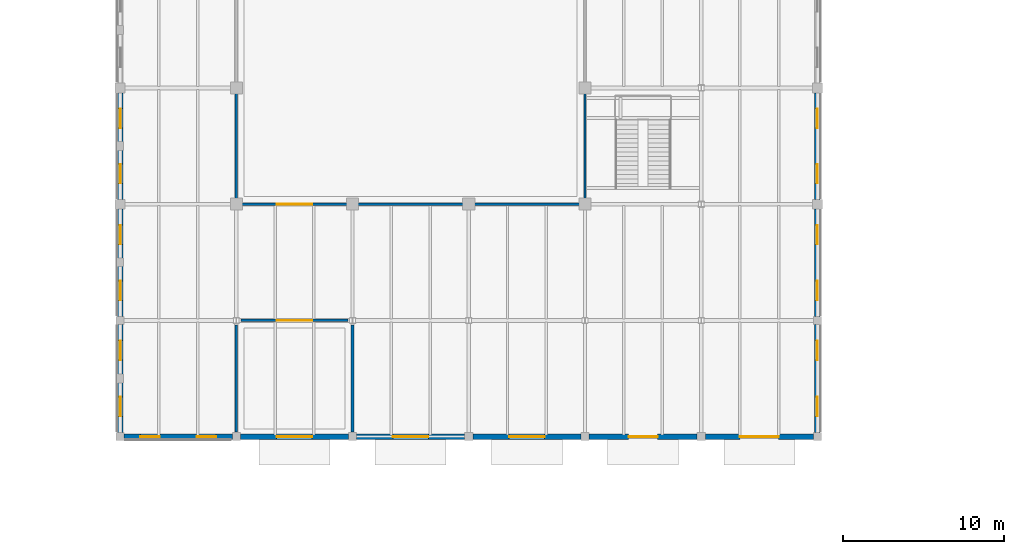
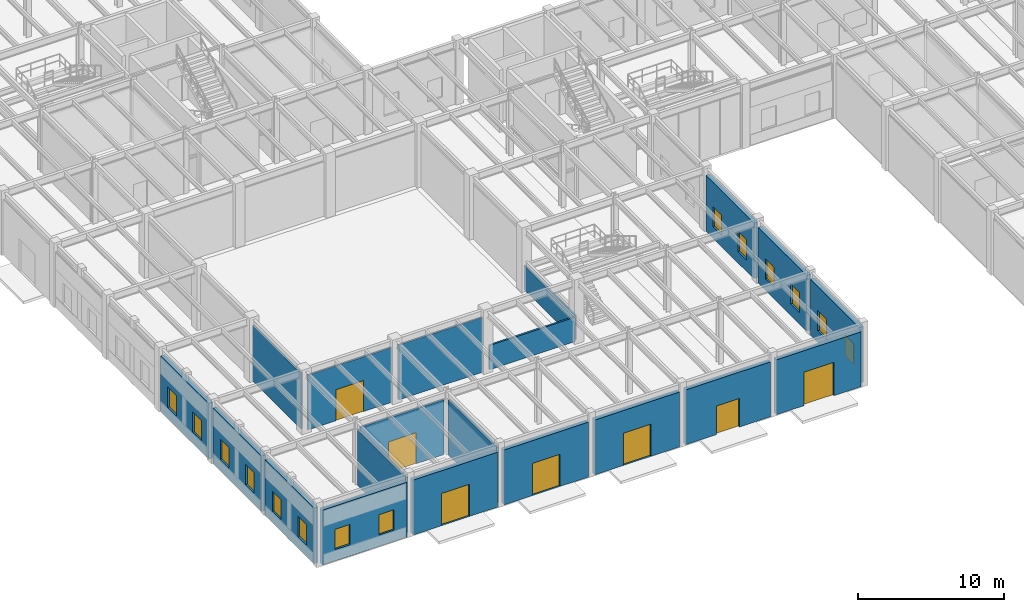
# One storey, part 33 of 97: 20 walls, 14 windows, 7 doors, 21 openings.
"""IFC4 building model written with IfcOpenShell, lengths in metres."""

from ifc_helpers import new_model, si_unit, direction, frame, frame_2d, origin, place, context, subcontext, project, spatial, rectangle, extrude, material, layer, layer_set, type_object, element, fill, save


model = new_model("IFC4")

# Units and contexts
model_context = context("Model", 3, precision=1e-05, world=origin(), true_north=direction((0.0, 1.0)))
body_context = subcontext(model_context, "Body", "Model", "MODEL_VIEW")
ifc_project = project(units=[si_unit("LENGTHUNIT", "METRE"), si_unit("AREAUNIT", "SQUARE_METRE"), si_unit("VOLUMEUNIT", "CUBIC_METRE"), si_unit("PLANEANGLEUNIT", "RADIAN"), si_unit("MASSUNIT", "GRAM", prefix="KILO")], contexts=[model_context])

# Site, building, storey
site_placement = place(None, origin())
site = spatial("IfcSite", under=ifc_project, at=site_placement, CompositionType="ELEMENT")
building_placement = place(site_placement, origin())
building = spatial("IfcBuilding", under=site, at=building_placement, Name="Sillqori Civic Hall", CompositionType="ELEMENT")
storey_placement = place(building_placement, origin())
storey = spatial("IfcBuildingStorey", under=building, at=storey_placement, Name="L01", CompositionType="ELEMENT", Elevation=0.0)

# Wall, openings, windows
ifc_material_1 = material(Name="Precast concrete C40/50 (H40)", Category="concrete")
ifc_layer_1 = layer(ifc_material_1, 0.340087890625)
ifc_layer_set_1 = layer_set([ifc_layer_1], Name="Precast concrete C40/50 (H40)")
wall_type_1 = type_object("IfcWallType", Name="EW-ARC-340", PredefinedType="SOLIDWALL", material=ifc_layer_set_1)
wall_1_placement = place(storey_placement, frame((14.14990234375, 7.199951171875, 0.0), z_axis=(0.0, 0.0, 1.0), x_axis=(-1.0, 0.0, 0.0)))
wall_1 = element("IfcWall", 1, at=wall_1_placement, inside=storey, type_object=wall_type_1, Name="L01 V1 exterior wall L01-01-01-S", PredefinedType="SOLIDWALL", context=body_context, shape_type="SweptSolid", body=[
    extrude(rectangle(XDim=6.699951171875, YDim=0.340087890625, at=frame_2d((3.35009765625, 0.0))), origin(), (0.0, 0.0, 1.0), 4.597900390625),
])
opening_1_placement = place(wall_1_placement, frame((1.008056640625, 0.0, 0.949951171875)))
opening_1 = element("IfcOpeningElement", 2, at=opening_1_placement, cuts=wall_1, Name="Opening W-22", PredefinedType="OPENING", context=body_context, shape_type="SweptSolid", body=[
    extrude(rectangle(XDim=1.199951171875, YDim=1.699951171875, at=frame_2d((0.60009765625, 0.85009765625))), frame((0.0, 0.179931640625, 0.0), z_axis=(0.0, -1.0, 0.0), x_axis=(1.0, 0.0, 0.0)), (0.0, 0.0, 1.0), 0.360107421875),
])
opening_2_placement = place(wall_1_placement, frame((4.491943359375, 0.0, 0.949951171875)))
opening_2 = element("IfcOpeningElement", 3, at=opening_2_placement, cuts=wall_1, Name="Opening W-22", PredefinedType="OPENING", context=body_context, shape_type="SweptSolid", body=[
    extrude(rectangle(XDim=1.199951171875, YDim=1.699951171875, at=frame_2d((0.60009765625, 0.85009765625))), frame((0.0, 0.179931640625, 0.0), z_axis=(0.0, -1.0, 0.0), x_axis=(1.0, 0.0, 0.0)), (0.0, 0.0, 1.0), 0.360107421875),
])
ifc_material_2 = material(Name="Thermally Broken Aluminium Low-E Window", Category="aluminium")
window_type = type_object("IfcWindowType", Name="WIN-V5-120X170", PartitioningType="SINGLE_PANEL", PredefinedType="WINDOW", material=ifc_material_2)
window_1_placement = place(opening_1_placement, origin())
window_1 = element("IfcWindow", 4, at=window_1_placement, inside=storey, type_object=window_type, Name="L01 V1 window L01-01-01-S.1", OverallHeight=1.699951171875, OverallWidth=1.199951171875, PartitioningType="SINGLE_PANEL", PredefinedType="WINDOW", context=body_context, shape_type="SweptSolid", body=[
    extrude(rectangle(XDim=1.199951171875, YDim=1.699951171875, at=frame_2d((0.60009765625, 0.85009765625))), frame((0.0, 0.030029296875, 0.0), z_axis=(0.0, -1.0, 0.0), x_axis=(1.0, 0.0, 0.0)), (0.0, 0.0, 1.0), 0.06005859375),
])
fill(opening_1, window_1)
window_2_placement = place(opening_2_placement, origin())
window_2 = element("IfcWindow", 5, at=window_2_placement, inside=storey, type_object=window_type, Name="L01 V1 window L01-01-01-S.2", OverallHeight=1.699951171875, OverallWidth=1.199951171875, PartitioningType="SINGLE_PANEL", PredefinedType="WINDOW", context=body_context, shape_type="SweptSolid", body=[
    extrude(rectangle(XDim=1.199951171875, YDim=1.699951171875, at=frame_2d((0.60009765625, 0.85009765625))), frame((0.0, 0.030029296875, 0.0), z_axis=(0.0, -1.0, 0.0), x_axis=(1.0, 0.0, 0.0)), (0.0, 0.0, 1.0), 0.06005859375),
])
fill(opening_2, window_2)

wall_2_placement = place(storey_placement, frame((7.199951171875, 7.449951171875, 0.0), z_axis=(0.0, 0.0, 1.0), x_axis=(0.0, 1.0, 0.0)))
wall_2 = element("IfcWall", 6, at=wall_2_placement, inside=storey, type_object=wall_type_1, Name="L01 V1 exterior wall L01-01-01-W", PredefinedType="SOLIDWALL", context=body_context, shape_type="SweptSolid", body=[
    extrude(rectangle(XDim=6.699951171875, YDim=0.340087890625, at=frame_2d((3.35009765625, 0.0))), origin(), (0.0, 0.0, 1.0), 4.6669921875),
])
opening_3_placement = place(wall_2_placement, frame((1.008056640625, 0.0, 0.949951171875)))
opening_3 = element("IfcOpeningElement", 7, at=opening_3_placement, cuts=wall_2, Name="Opening W-22", PredefinedType="OPENING", context=body_context, shape_type="SweptSolid", body=[
    extrude(rectangle(XDim=1.199951171875, YDim=1.699951171875, at=frame_2d((0.60009765625, 0.85009765625))), frame((0.0, 0.179931640625, 0.0), z_axis=(0.0, -1.0, 0.0), x_axis=(1.0, 0.0, 0.0)), (0.0, 0.0, 1.0), 0.360107421875),
])
opening_4_placement = place(wall_2_placement, frame((4.491943359375, 0.0, 0.949951171875)))
opening_4 = element("IfcOpeningElement", 8, at=opening_4_placement, cuts=wall_2, Name="Opening W-22", PredefinedType="OPENING", context=body_context, shape_type="SweptSolid", body=[
    extrude(rectangle(XDim=1.199951171875, YDim=1.699951171875, at=frame_2d((0.60009765625, 0.85009765625))), frame((0.0, 0.179931640625, 0.0), z_axis=(0.0, -1.0, 0.0), x_axis=(1.0, 0.0, 0.0)), (0.0, 0.0, 1.0), 0.360107421875),
])
window_3_placement = place(opening_3_placement, origin())
window_3 = element("IfcWindow", 9, at=window_3_placement, inside=storey, type_object=window_type, Name="L01 V1 window L01-01-01-W.1", OverallHeight=1.699951171875, OverallWidth=1.199951171875, PartitioningType="SINGLE_PANEL", PredefinedType="WINDOW", context=body_context, shape_type="SweptSolid", body=[
    extrude(rectangle(XDim=1.199951171875, YDim=1.699951171875, at=frame_2d((0.60009765625, 0.85009765625))), frame((0.0, 0.030029296875, 0.0), z_axis=(0.0, -1.0, 0.0), x_axis=(1.0, 0.0, 0.0)), (0.0, 0.0, 1.0), 0.06005859375),
])
fill(opening_3, window_3)
window_4_placement = place(opening_4_placement, origin())
window_4 = element("IfcWindow", 10, at=window_4_placement, inside=storey, type_object=window_type, Name="L01 V1 window L01-01-01-W.2", OverallHeight=1.699951171875, OverallWidth=1.199951171875, PartitioningType="SINGLE_PANEL", PredefinedType="WINDOW", context=body_context, shape_type="SweptSolid", body=[
    extrude(rectangle(XDim=1.199951171875, YDim=1.699951171875, at=frame_2d((0.60009765625, 0.85009765625))), frame((0.0, 0.030029296875, 0.0), z_axis=(0.0, -1.0, 0.0), x_axis=(1.0, 0.0, 0.0)), (0.0, 0.0, 1.0), 0.06005859375),
])
fill(opening_4, window_4)

wall_3_placement = place(storey_placement, frame((7.199951171875, 14.64990234375, 0.0), z_axis=(0.0, 0.0, 1.0), x_axis=(0.0, 1.0, 0.0)))
wall_3 = element("IfcWall", 11, at=wall_3_placement, inside=storey, type_object=wall_type_1, Name="L01 V1 exterior wall L01-01-02-W", PredefinedType="SOLIDWALL", context=body_context, shape_type="SweptSolid", body=[
    extrude(rectangle(XDim=6.650146484375, YDim=0.340087890625, at=frame_2d((3.3251953125, 0.0))), origin(), (0.0, 0.0, 1.0), 4.6669921875),
])
opening_5_placement = place(wall_3_placement, frame((0.99609375, 0.0, 0.949951171875)))
opening_5 = element("IfcOpeningElement", 12, at=opening_5_placement, cuts=wall_3, Name="Opening W-22", PredefinedType="OPENING", context=body_context, shape_type="SweptSolid", body=[
    extrude(rectangle(XDim=1.199951171875, YDim=1.699951171875, at=frame_2d((0.60009765625, 0.85009765625))), frame((0.0, 0.179931640625, 0.0), z_axis=(0.0, -1.0, 0.0), x_axis=(1.0, 0.0, 0.0)), (0.0, 0.0, 1.0), 0.360107421875),
])
opening_6_placement = place(wall_3_placement, frame((4.4541015625, 0.0, 0.949951171875)))
opening_6 = element("IfcOpeningElement", 13, at=opening_6_placement, cuts=wall_3, Name="Opening W-22", PredefinedType="OPENING", context=body_context, shape_type="SweptSolid", body=[
    extrude(rectangle(XDim=1.199951171875, YDim=1.699951171875, at=frame_2d((0.60009765625, 0.85009765625))), frame((0.0, 0.179931640625, 0.0), z_axis=(0.0, -1.0, 0.0), x_axis=(1.0, 0.0, 0.0)), (0.0, 0.0, 1.0), 0.360107421875),
])
window_5_placement = place(opening_5_placement, origin())
window_5 = element("IfcWindow", 14, at=window_5_placement, inside=storey, type_object=window_type, Name="L01 V1 window L01-01-02-W.1", OverallHeight=1.699951171875, OverallWidth=1.199951171875, PartitioningType="SINGLE_PANEL", PredefinedType="WINDOW", context=body_context, shape_type="SweptSolid", body=[
    extrude(rectangle(XDim=1.199951171875, YDim=1.699951171875, at=frame_2d((0.60009765625, 0.85009765625))), frame((0.0, 0.030029296875, 0.0), z_axis=(0.0, -1.0, 0.0), x_axis=(1.0, 0.0, 0.0)), (0.0, 0.0, 1.0), 0.06005859375),
])
fill(opening_5, window_5)
window_6_placement = place(opening_6_placement, origin())
window_6 = element("IfcWindow", 15, at=window_6_placement, inside=storey, type_object=window_type, Name="L01 V1 window L01-01-02-W.2", OverallHeight=1.699951171875, OverallWidth=1.199951171875, PartitioningType="SINGLE_PANEL", PredefinedType="WINDOW", context=body_context, shape_type="SweptSolid", body=[
    extrude(rectangle(XDim=1.199951171875, YDim=1.699951171875, at=frame_2d((0.60009765625, 0.85009765625))), frame((0.0, 0.030029296875, 0.0), z_axis=(0.0, -1.0, 0.0), x_axis=(1.0, 0.0, 0.0)), (0.0, 0.0, 1.0), 0.06005859375),
])
fill(opening_6, window_6)

wall_4_placement = place(storey_placement, frame((7.199951171875, 21.89990234375, 0.0), z_axis=(0.0, 0.0, 1.0), x_axis=(0.0, 1.0, 0.0)))
wall_4 = element("IfcWall", 16, at=wall_4_placement, inside=storey, type_object=wall_type_1, Name="L01 V1 exterior wall L01-01-03-W", PredefinedType="SOLIDWALL", context=body_context, shape_type="SweptSolid", body=[
    extrude(rectangle(XDim=6.60009765625, YDim=0.340087890625, at=frame_2d((3.300048828125, 0.0))), origin(), (0.0, 0.0, 1.0), 4.6669921875),
])
opening_7_placement = place(wall_4_placement, frame((0.98388671875, 0.0, 0.949951171875)))
opening_7 = element("IfcOpeningElement", 17, at=opening_7_placement, cuts=wall_4, Name="Opening W-22", PredefinedType="OPENING", context=body_context, shape_type="SweptSolid", body=[
    extrude(rectangle(XDim=1.199951171875, YDim=1.699951171875, at=frame_2d((0.60009765625, 0.85009765625))), frame((0.0, 0.179931640625, 0.0), z_axis=(0.0, -1.0, 0.0), x_axis=(1.0, 0.0, 0.0)), (0.0, 0.0, 1.0), 0.360107421875),
])
opening_8_placement = place(wall_4_placement, frame((4.416015625, 0.0, 0.949951171875)))
opening_8 = element("IfcOpeningElement", 18, at=opening_8_placement, cuts=wall_4, Name="Opening W-22", PredefinedType="OPENING", context=body_context, shape_type="SweptSolid", body=[
    extrude(rectangle(XDim=1.199951171875, YDim=1.699951171875, at=frame_2d((0.60009765625, 0.85009765625))), frame((0.0, 0.179931640625, 0.0), z_axis=(0.0, -1.0, 0.0), x_axis=(1.0, 0.0, 0.0)), (0.0, 0.0, 1.0), 0.360107421875),
])
window_7_placement = place(opening_7_placement, origin())
window_7 = element("IfcWindow", 19, at=window_7_placement, inside=storey, type_object=window_type, Name="L01 V1 window L01-01-03-W.1", OverallHeight=1.699951171875, OverallWidth=1.199951171875, PartitioningType="SINGLE_PANEL", PredefinedType="WINDOW", context=body_context, shape_type="SweptSolid", body=[
    extrude(rectangle(XDim=1.199951171875, YDim=1.699951171875, at=frame_2d((0.60009765625, 0.85009765625))), frame((0.0, 0.030029296875, 0.0), z_axis=(0.0, -1.0, 0.0), x_axis=(1.0, 0.0, 0.0)), (0.0, 0.0, 1.0), 0.06005859375),
])
fill(opening_7, window_7)
window_8_placement = place(opening_8_placement, origin())
window_8 = element("IfcWindow", 20, at=window_8_placement, inside=storey, type_object=window_type, Name="L01 V1 window L01-01-03-W.2", OverallHeight=1.699951171875, OverallWidth=1.199951171875, PartitioningType="SINGLE_PANEL", PredefinedType="WINDOW", context=body_context, shape_type="SweptSolid", body=[
    extrude(rectangle(XDim=1.199951171875, YDim=1.699951171875, at=frame_2d((0.60009765625, 0.85009765625))), frame((0.0, 0.030029296875, 0.0), z_axis=(0.0, -1.0, 0.0), x_axis=(1.0, 0.0, 0.0)), (0.0, 0.0, 1.0), 0.06005859375),
])
fill(opening_8, window_8)

# Wall, opening, door
wall_5_placement = place(storey_placement, frame((21.35009765625, 7.199951171875, 0.0), z_axis=(0.0, 0.0, 1.0), x_axis=(-1.0, 0.0, 0.0)))
wall_5 = element("IfcWall", 21, at=wall_5_placement, inside=storey, type_object=wall_type_1, Name="L01 V1 exterior wall L01-02-01-S", PredefinedType="SOLIDWALL", context=body_context, shape_type="SweptSolid", body=[
    extrude(rectangle(XDim=6.7001953125, YDim=0.340087890625, at=frame_2d((3.35009765625, 0.0))), origin(), (0.0, 0.0, 1.0), 4.597900390625),
])
opening_9_placement = place(wall_5_placement, frame((2.25, 0.0, 0.0)))
opening_9 = element("IfcOpeningElement", 22, at=opening_9_placement, cuts=wall_5, Name="Opening ED-02", PredefinedType="OPENING", context=body_context, shape_type="SweptSolid", body=[
    extrude(rectangle(XDim=2.199951171875, YDim=2.699951171875, at=frame_2d((1.10009765625, 1.35009765625))), frame((0.0, 0.179931640625, 0.0), z_axis=(0.0, -1.0, 0.0), x_axis=(1.0, 0.0, 0.0)), (0.0, 0.0, 1.0), 0.360107421875),
])
ifc_material_3 = material(Name="Thermally Broken Anodized Aluminium and Laminated Glass", Category="aluminium")
door_type_1 = type_object("IfcDoorType", Name="EDR-FOYR-220X270", OperationType="NOTDEFINED", PredefinedType="DOOR", material=ifc_material_3)
door_1_placement = place(opening_9_placement, origin())
door_1 = element("IfcDoor", 23, at=door_1_placement, inside=storey, type_object=door_type_1, Name="Council Chamber West Street Portal", OperationType="DOUBLE_DOOR_SINGLE_SWING", OverallHeight=2.699951171875, OverallWidth=2.199951171875, PredefinedType="DOOR", context=body_context, shape_type="SweptSolid", body=[
    extrude(rectangle(XDim=2.199951171875, YDim=2.699951171875, at=frame_2d((1.10009765625, 1.35009765625))), frame((0.0, 0.02490234375, 0.0), z_axis=(0.0, -1.0, 0.0), x_axis=(1.0, 0.0, 0.0)), (0.0, 0.0, 1.0), 0.050048828125),
])
fill(opening_9, door_1)

wall_6_placement = place(storey_placement, frame((28.550048828125, 7.199951171875, 0.0), z_axis=(0.0, 0.0, 1.0), x_axis=(-1.0, 0.0, 0.0)))
wall_6 = element("IfcWall", 24, at=wall_6_placement, inside=storey, type_object=wall_type_1, Name="L01 V1 exterior wall L01-03-01-S", PredefinedType="SOLIDWALL", context=body_context, shape_type="SweptSolid", body=[
    extrude(rectangle(XDim=6.699951171875, YDim=0.340087890625, at=frame_2d((3.35009765625, 0.0))), origin(), (0.0, 0.0, 1.0), 4.597900390625),
])
opening_10_placement = place(wall_6_placement, frame((2.25, 0.0, 0.0)))
opening_10 = element("IfcOpeningElement", 25, at=opening_10_placement, cuts=wall_6, Name="Opening ED-02", PredefinedType="OPENING", context=body_context, shape_type="SweptSolid", body=[
    extrude(rectangle(XDim=2.199951171875, YDim=2.699951171875, at=frame_2d((1.10009765625, 1.35009765625))), frame((0.0, 0.179931640625, 0.0), z_axis=(0.0, -1.0, 0.0), x_axis=(1.0, 0.0, 0.0)), (0.0, 0.0, 1.0), 0.360107421875),
])
door_2_placement = place(opening_10_placement, origin())
door_2 = element("IfcDoor", 26, at=door_2_placement, inside=storey, type_object=door_type_1, Name="Council Chamber Ceremonial Entrance", OperationType="DOUBLE_DOOR_SINGLE_SWING", OverallHeight=2.699951171875, OverallWidth=2.199951171875, PredefinedType="DOOR", context=body_context, shape_type="SweptSolid", body=[
    extrude(rectangle(XDim=2.199951171875, YDim=2.699951171875, at=frame_2d((1.10009765625, 1.35009765625))), frame((0.0, 0.02490234375, 0.0), z_axis=(0.0, -1.0, 0.0), x_axis=(1.0, 0.0, 0.0)), (0.0, 0.0, 1.0), 0.050048828125),
])
fill(opening_10, door_2)

wall_7_placement = place(storey_placement, frame((35.75, 7.199951171875, 0.0), z_axis=(0.0, 0.0, 1.0), x_axis=(-1.0, 0.0, 0.0)))
wall_7 = element("IfcWall", 27, at=wall_7_placement, inside=storey, type_object=wall_type_1, Name="L01 V1 exterior wall L01-04-01-S", PredefinedType="SOLIDWALL", context=body_context, shape_type="SweptSolid", body=[
    extrude(rectangle(XDim=6.699951171875, YDim=0.340087890625, at=frame_2d((3.35009765625, 0.0))), origin(), (0.0, 0.0, 1.0), 4.597900390625),
])
opening_11_placement = place(wall_7_placement, frame((2.25, 0.0, 0.0)))
opening_11 = element("IfcOpeningElement", 28, at=opening_11_placement, cuts=wall_7, Name="Opening ED-02", PredefinedType="OPENING", context=body_context, shape_type="SweptSolid", body=[
    extrude(rectangle(XDim=2.199951171875, YDim=2.699951171875, at=frame_2d((1.10009765625, 1.35009765625))), frame((0.0, 0.179931640625, 0.0), z_axis=(0.0, -1.0, 0.0), x_axis=(1.0, 0.0, 0.0)), (0.0, 0.0, 1.0), 0.360107421875),
])
door_3_placement = place(opening_11_placement, origin())
door_3 = element("IfcDoor", 29, at=door_3_placement, inside=storey, type_object=door_type_1, Name="Council Chamber East Street Portal", OperationType="DOUBLE_DOOR_SINGLE_SWING", OverallHeight=2.699951171875, OverallWidth=2.199951171875, PredefinedType="DOOR", context=body_context, shape_type="SweptSolid", body=[
    extrude(rectangle(XDim=2.199951171875, YDim=2.699951171875, at=frame_2d((1.10009765625, 1.35009765625))), frame((0.0, 0.02490234375, 0.0), z_axis=(0.0, -1.0, 0.0), x_axis=(1.0, 0.0, 0.0)), (0.0, 0.0, 1.0), 0.050048828125),
])
fill(opening_11, door_3)

wall_8_placement = place(storey_placement, frame((42.949951171875, 7.199951171875, 0.0), z_axis=(0.0, 0.0, 1.0), x_axis=(-1.0, 0.0, 0.0)))
wall_8 = element("IfcWall", 30, at=wall_8_placement, inside=storey, type_object=wall_type_1, Name="L01 V1 exterior wall L01-05-01-S", PredefinedType="SOLIDWALL", context=body_context, shape_type="SweptSolid", body=[
    extrude(rectangle(XDim=6.699951171875, YDim=0.340087890625, at=frame_2d((3.35009765625, 0.0))), origin(), (0.0, 0.0, 1.0), 4.597900390625),
])
opening_12_placement = place(wall_8_placement, frame((2.449951171875, 0.0, 0.0)))
opening_12 = element("IfcOpeningElement", 31, at=opening_12_placement, cuts=wall_8, Name="Opening ED-04", PredefinedType="OPENING", context=body_context, shape_type="SweptSolid", body=[
    extrude(rectangle(XDim=1.800048828125, YDim=2.39990234375, at=frame_2d((0.89990234375, 1.199951171875))), frame((0.0, 0.179931640625, 0.0), z_axis=(0.0, -1.0, 0.0), x_axis=(1.0, 0.0, 0.0)), (0.0, 0.0, 1.0), 0.360107421875),
])
door_type_2 = type_object("IfcDoorType", Name="EDR-EXIT-180X240", OperationType="NOTDEFINED", PredefinedType="DOOR", material=ifc_material_3)
door_4_placement = place(opening_12_placement, origin())
door_4 = element("IfcDoor", 32, at=door_4_placement, inside=storey, type_object=door_type_2, Name="Council Foyer South Exit", OperationType="DOUBLE_DOOR_SINGLE_SWING", OverallHeight=2.39990234375, OverallWidth=1.800048828125, PredefinedType="DOOR", context=body_context, shape_type="SweptSolid", body=[
    extrude(rectangle(XDim=1.800048828125, YDim=2.39990234375, at=frame_2d((0.89990234375, 1.199951171875))), frame((0.0, 0.02490234375, 0.0), z_axis=(0.0, -1.0, 0.0), x_axis=(1.0, 0.0, 0.0)), (0.0, 0.0, 1.0), 0.050048828125),
])
fill(opening_12, door_4)

wall_9_placement = place(storey_placement, frame((50.14990234375, 7.199951171875, 0.0), z_axis=(0.0, 0.0, 1.0), x_axis=(-1.0, 0.0, 0.0)))
wall_9 = element("IfcWall", 33, at=wall_9_placement, inside=storey, type_object=wall_type_1, Name="L01 V1 exterior wall L01-06-01-S", PredefinedType="SOLIDWALL", context=body_context, shape_type="SweptSolid", body=[
    extrude(rectangle(XDim=6.699951171875, YDim=0.340087890625, at=frame_2d((3.35009765625, 0.0))), origin(), (0.0, 0.0, 1.0), 4.597900390625),
])
opening_13_placement = place(wall_9_placement, frame((2.14990234375, 0.0, 0.0)))
opening_13 = element("IfcOpeningElement", 34, at=opening_13_placement, cuts=wall_9, Name="Opening ED-01", PredefinedType="OPENING", context=body_context, shape_type="SweptSolid", body=[
    extrude(rectangle(XDim=2.39990234375, YDim=2.800048828125, at=frame_2d((1.199951171875, 1.39990234375))), frame((0.0, 0.179931640625, 0.0), z_axis=(0.0, -1.0, 0.0), x_axis=(1.0, 0.0, 0.0)), (0.0, 0.0, 1.0), 0.360107421875),
])
door_type_3 = type_object("IfcDoorType", Name="EDR-MAIN-240X280", OperationType="NOTDEFINED", PredefinedType="DOOR", material=ifc_material_3)
door_5_placement = place(opening_13_placement, origin())
door_5 = element("IfcDoor", 35, at=door_5_placement, inside=storey, type_object=door_type_3, Name="Council Foyer Promenade Portal", OperationType="DOUBLE_DOOR_SINGLE_SWING", OverallHeight=2.800048828125, OverallWidth=2.39990234375, PredefinedType="DOOR", context=body_context, shape_type="SweptSolid", body=[
    extrude(rectangle(XDim=2.39990234375, YDim=2.800048828125, at=frame_2d((1.199951171875, 1.39990234375))), frame((0.0, 0.02490234375, 0.0), z_axis=(0.0, -1.0, 0.0), x_axis=(1.0, 0.0, 0.0)), (0.0, 0.0, 1.0), 0.050048828125),
])
fill(opening_13, door_5)

# Wall, openings, windows
wall_10_placement = place(storey_placement, frame((50.39990234375, 14.14990234375, 0.0), z_axis=(0.0, 0.0, 1.0), x_axis=(0.0, -1.0, 0.0)))
wall_10 = element("IfcWall", 36, at=wall_10_placement, inside=storey, type_object=wall_type_1, Name="L01 V1 exterior wall L01-06-01-E", PredefinedType="SOLIDWALL", context=body_context, shape_type="SweptSolid", body=[
    extrude(rectangle(XDim=6.699951171875, YDim=0.340087890625, at=frame_2d((3.35009765625, 0.0))), origin(), (0.0, 0.0, 1.0), 4.6669921875),
])
opening_14_placement = place(wall_10_placement, frame((1.008056640625, 0.0, 0.949951171875)))
opening_14 = element("IfcOpeningElement", 37, at=opening_14_placement, cuts=wall_10, Name="Opening W-22", PredefinedType="OPENING", context=body_context, shape_type="SweptSolid", body=[
    extrude(rectangle(XDim=1.199951171875, YDim=1.699951171875, at=frame_2d((0.60009765625, 0.85009765625))), frame((0.0, 0.179931640625, 0.0), z_axis=(0.0, -1.0, 0.0), x_axis=(1.0, 0.0, 0.0)), (0.0, 0.0, 1.0), 0.360107421875),
])
opening_15_placement = place(wall_10_placement, frame((4.491943359375, 0.0, 0.949951171875)))
opening_15 = element("IfcOpeningElement", 38, at=opening_15_placement, cuts=wall_10, Name="Opening W-22", PredefinedType="OPENING", context=body_context, shape_type="SweptSolid", body=[
    extrude(rectangle(XDim=1.199951171875, YDim=1.699951171875, at=frame_2d((0.60009765625, 0.85009765625))), frame((0.0, 0.179931640625, 0.0), z_axis=(0.0, -1.0, 0.0), x_axis=(1.0, 0.0, 0.0)), (0.0, 0.0, 1.0), 0.360107421875),
])
window_9_placement = place(opening_14_placement, origin())
window_9 = element("IfcWindow", 39, at=window_9_placement, inside=storey, type_object=window_type, Name="L01 V1 window L01-06-01-E.1", OverallHeight=1.699951171875, OverallWidth=1.199951171875, PartitioningType="SINGLE_PANEL", PredefinedType="WINDOW", context=body_context, shape_type="SweptSolid", body=[
    extrude(rectangle(XDim=1.199951171875, YDim=1.699951171875, at=frame_2d((0.60009765625, 0.85009765625))), frame((0.0, 0.030029296875, 0.0), z_axis=(0.0, -1.0, 0.0), x_axis=(1.0, 0.0, 0.0)), (0.0, 0.0, 1.0), 0.06005859375),
])
fill(opening_14, window_9)
window_10_placement = place(opening_15_placement, origin())
window_10 = element("IfcWindow", 40, at=window_10_placement, inside=storey, type_object=window_type, Name="L01 V1 window L01-06-01-E.2", OverallHeight=1.699951171875, OverallWidth=1.199951171875, PartitioningType="SINGLE_PANEL", PredefinedType="WINDOW", context=body_context, shape_type="SweptSolid", body=[
    extrude(rectangle(XDim=1.199951171875, YDim=1.699951171875, at=frame_2d((0.60009765625, 0.85009765625))), frame((0.0, 0.030029296875, 0.0), z_axis=(0.0, -1.0, 0.0), x_axis=(1.0, 0.0, 0.0)), (0.0, 0.0, 1.0), 0.06005859375),
])
fill(opening_15, window_10)

wall_11_placement = place(storey_placement, frame((50.39990234375, 21.300048828125, 0.0), z_axis=(0.0, 0.0, 1.0), x_axis=(0.0, -1.0, 0.0)))
wall_11 = element("IfcWall", 41, at=wall_11_placement, inside=storey, type_object=wall_type_1, Name="L01 V1 exterior wall L01-06-02-E", PredefinedType="SOLIDWALL", context=body_context, shape_type="SweptSolid", body=[
    extrude(rectangle(XDim=6.650146484375, YDim=0.340087890625, at=frame_2d((3.3251953125, 0.0))), origin(), (0.0, 0.0, 1.0), 4.6669921875),
])
opening_16_placement = place(wall_11_placement, frame((0.99609375, 0.0, 0.949951171875)))
opening_16 = element("IfcOpeningElement", 42, at=opening_16_placement, cuts=wall_11, Name="Opening W-22", PredefinedType="OPENING", context=body_context, shape_type="SweptSolid", body=[
    extrude(rectangle(XDim=1.199951171875, YDim=1.699951171875, at=frame_2d((0.60009765625, 0.85009765625))), frame((0.0, 0.179931640625, 0.0), z_axis=(0.0, -1.0, 0.0), x_axis=(1.0, 0.0, 0.0)), (0.0, 0.0, 1.0), 0.360107421875),
])
opening_17_placement = place(wall_11_placement, frame((4.4541015625, 0.0, 0.949951171875)))
opening_17 = element("IfcOpeningElement", 43, at=opening_17_placement, cuts=wall_11, Name="Opening W-22", PredefinedType="OPENING", context=body_context, shape_type="SweptSolid", body=[
    extrude(rectangle(XDim=1.199951171875, YDim=1.699951171875, at=frame_2d((0.60009765625, 0.85009765625))), frame((0.0, 0.179931640625, 0.0), z_axis=(0.0, -1.0, 0.0), x_axis=(1.0, 0.0, 0.0)), (0.0, 0.0, 1.0), 0.360107421875),
])
window_11_placement = place(opening_16_placement, origin())
window_11 = element("IfcWindow", 44, at=window_11_placement, inside=storey, type_object=window_type, Name="L01 V1 window L01-06-02-E.1", OverallHeight=1.699951171875, OverallWidth=1.199951171875, PartitioningType="SINGLE_PANEL", PredefinedType="WINDOW", context=body_context, shape_type="SweptSolid", body=[
    extrude(rectangle(XDim=1.199951171875, YDim=1.699951171875, at=frame_2d((0.60009765625, 0.85009765625))), frame((0.0, 0.030029296875, 0.0), z_axis=(0.0, -1.0, 0.0), x_axis=(1.0, 0.0, 0.0)), (0.0, 0.0, 1.0), 0.06005859375),
])
fill(opening_16, window_11)
window_12_placement = place(opening_17_placement, origin())
window_12 = element("IfcWindow", 45, at=window_12_placement, inside=storey, type_object=window_type, Name="L01 V1 window L01-06-02-E.2", OverallHeight=1.699951171875, OverallWidth=1.199951171875, PartitioningType="SINGLE_PANEL", PredefinedType="WINDOW", context=body_context, shape_type="SweptSolid", body=[
    extrude(rectangle(XDim=1.199951171875, YDim=1.699951171875, at=frame_2d((0.60009765625, 0.85009765625))), frame((0.0, 0.030029296875, 0.0), z_axis=(0.0, -1.0, 0.0), x_axis=(1.0, 0.0, 0.0)), (0.0, 0.0, 1.0), 0.06005859375),
])
fill(opening_17, window_12)

wall_12_placement = place(storey_placement, frame((50.39990234375, 28.5, 0.0), z_axis=(0.0, 0.0, 1.0), x_axis=(0.0, -1.0, 0.0)))
wall_12 = element("IfcWall", 46, at=wall_12_placement, inside=storey, type_object=wall_type_1, Name="L01 V1 exterior wall L01-06-03-E", PredefinedType="SOLIDWALL", context=body_context, shape_type="SweptSolid", body=[
    extrude(rectangle(XDim=6.60009765625, YDim=0.340087890625, at=frame_2d((3.300048828125, 0.0))), origin(), (0.0, 0.0, 1.0), 4.6669921875),
])
opening_18_placement = place(wall_12_placement, frame((0.98388671875, 0.0, 0.949951171875)))
opening_18 = element("IfcOpeningElement", 47, at=opening_18_placement, cuts=wall_12, Name="Opening W-22", PredefinedType="OPENING", context=body_context, shape_type="SweptSolid", body=[
    extrude(rectangle(XDim=1.199951171875, YDim=1.699951171875, at=frame_2d((0.60009765625, 0.85009765625))), frame((0.0, 0.179931640625, 0.0), z_axis=(0.0, -1.0, 0.0), x_axis=(1.0, 0.0, 0.0)), (0.0, 0.0, 1.0), 0.360107421875),
])
opening_19_placement = place(wall_12_placement, frame((4.416015625, 0.0, 0.949951171875)))
opening_19 = element("IfcOpeningElement", 48, at=opening_19_placement, cuts=wall_12, Name="Opening W-22", PredefinedType="OPENING", context=body_context, shape_type="SweptSolid", body=[
    extrude(rectangle(XDim=1.199951171875, YDim=1.699951171875, at=frame_2d((0.60009765625, 0.85009765625))), frame((0.0, 0.179931640625, 0.0), z_axis=(0.0, -1.0, 0.0), x_axis=(1.0, 0.0, 0.0)), (0.0, 0.0, 1.0), 0.360107421875),
])
window_13_placement = place(opening_18_placement, origin())
window_13 = element("IfcWindow", 49, at=window_13_placement, inside=storey, type_object=window_type, Name="L01 V1 window L01-06-03-E.1", OverallHeight=1.699951171875, OverallWidth=1.199951171875, PartitioningType="SINGLE_PANEL", PredefinedType="WINDOW", context=body_context, shape_type="SweptSolid", body=[
    extrude(rectangle(XDim=1.199951171875, YDim=1.699951171875, at=frame_2d((0.60009765625, 0.85009765625))), frame((0.0, 0.030029296875, 0.0), z_axis=(0.0, -1.0, 0.0), x_axis=(1.0, 0.0, 0.0)), (0.0, 0.0, 1.0), 0.06005859375),
])
fill(opening_18, window_13)
window_14_placement = place(opening_19_placement, origin())
window_14 = element("IfcWindow", 50, at=window_14_placement, inside=storey, type_object=window_type, Name="L01 V1 window L01-06-03-E.2", OverallHeight=1.699951171875, OverallWidth=1.199951171875, PartitioningType="SINGLE_PANEL", PredefinedType="WINDOW", context=body_context, shape_type="SweptSolid", body=[
    extrude(rectangle(XDim=1.199951171875, YDim=1.699951171875, at=frame_2d((0.60009765625, 0.85009765625))), frame((0.0, 0.030029296875, 0.0), z_axis=(0.0, -1.0, 0.0), x_axis=(1.0, 0.0, 0.0)), (0.0, 0.0, 1.0), 0.06005859375),
])
fill(opening_19, window_14)

# Wall, opening, door
ifc_material_4 = material(Name="Corridor Rated Partition 146", Category="gypsum")
ifc_layer_2 = layer(ifc_material_4, 0.14599609375)
ifc_layer_set_2 = layer_set([ifc_layer_2], Name="Corridor Rated Partition 146")
wall_type_2 = type_object("IfcWallType", Name="PT-GYP-146", PredefinedType="PARTITIONING", material=ifc_layer_set_2)
wall_13_placement = place(storey_placement, frame((21.320068359375, 21.60009765625, 0.0), z_axis=(0.0, 0.0, 1.0), x_axis=(-1.0, 0.0, 0.0)))
wall_13 = element("IfcWall", 51, at=wall_13_placement, inside=storey, type_object=wall_type_2, Name="Council Chamber Dais and Plenary Hall partition S1", PredefinedType="PARTITIONING", context=body_context, shape_type="SweptSolid", body=[
    extrude(rectangle(XDim=6.64013671875, YDim=0.14599609375, at=frame_2d((3.320068359375, 0.0))), origin(), (0.0, 0.0, 1.0), 4.587890625),
])
opening_20_placement = place(wall_13_placement, frame((2.219970703125, 0.0, 0.0)))
opening_20 = element("IfcOpeningElement", 52, at=opening_20_placement, cuts=wall_13, Name="Opening ID-01", PredefinedType="OPENING", context=body_context, shape_type="SweptSolid", body=[
    extrude(rectangle(XDim=2.199951171875, YDim=2.60009765625, at=frame_2d((1.10009765625, 1.300048828125))), frame((0.0, 0.0830078125, 0.0), z_axis=(0.0, -1.0, 0.0), x_axis=(1.0, 0.0, 0.0)), (0.0, 0.0, 1.0), 0.166015625),
])
ifc_material_5 = material(Name="Acoustic Andean Cedar Chamber Portal", Category="timber")
door_type_4 = type_object("IfcDoorType", Name="IDR-CHM-220X260", OperationType="NOTDEFINED", PredefinedType="DOOR", material=ifc_material_5)
door_6_placement = place(opening_20_placement, origin())
door_6 = element("IfcDoor", 53, at=door_6_placement, inside=storey, type_object=door_type_4, Name="Council Chamber Dais and Plenary Hall entrance door", OperationType="DOUBLE_DOOR_SINGLE_SWING", OverallHeight=2.60009765625, OverallWidth=2.199951171875, PredefinedType="DOOR", context=body_context, shape_type="SweptSolid", body=[
    extrude(rectangle(XDim=2.199951171875, YDim=2.60009765625, at=frame_2d((1.10009765625, 1.300048828125))), frame((0.0, 0.02490234375, 0.0), z_axis=(0.0, -1.0, 0.0), x_axis=(1.0, 0.0, 0.0)), (0.0, 0.0, 1.0), 0.050048828125),
])
fill(opening_20, door_6)

# Walls
wall_14_placement = place(storey_placement, frame((28.52001953125, 21.60009765625, 0.0), z_axis=(0.0, 0.0, 1.0), x_axis=(-1.0, 0.0, 0.0)))
element("IfcWall", 54, at=wall_14_placement, inside=storey, type_object=wall_type_2, Name="Council Chamber Dais and Plenary Hall partition S2", PredefinedType="PARTITIONING", context=body_context, shape_type="SweptSolid", body=[
    extrude(rectangle(XDim=6.64013671875, YDim=0.14599609375, at=frame_2d((3.320068359375, 0.0))), origin(), (0.0, 0.0, 1.0), 4.587890625),
])
wall_15_placement = place(storey_placement, frame((35.8798828125, 21.60009765625, 0.0), z_axis=(0.0, 0.0, 1.0), x_axis=(-1.0, 0.0, 0.0)))
element("IfcWall", 55, at=wall_15_placement, inside=storey, type_object=wall_type_2, Name="Council Chamber Dais and Plenary Hall partition S3", PredefinedType="PARTITIONING", context=body_context, shape_type="SweptSolid", body=[
    extrude(rectangle(XDim=6.7998046875, YDim=0.14599609375, at=frame_2d((3.39990234375, 0.0))), origin(), (0.0, 0.0, 1.0), 2.034912109375),
])
wall_16_placement = place(storey_placement, frame((14.39990234375, 21.8798828125, 0.0), z_axis=(0.0, 0.0, 1.0), x_axis=(0.0, 1.0, 0.0)))
element("IfcWall", 56, at=wall_16_placement, inside=storey, type_object=wall_type_2, Name="Council Chamber Dais and Plenary Hall partition W7", PredefinedType="PARTITIONING", context=body_context, shape_type="SweptSolid", body=[
    extrude(rectangle(XDim=6.64013671875, YDim=0.14599609375, at=frame_2d((3.320068359375, 0.0))), origin(), (0.0, 0.0, 1.0), 4.656982421875),
])
wall_17_placement = place(storey_placement, frame((36.0, 28.679931640625, 0.0), z_axis=(0.0, 0.0, 1.0), x_axis=(0.0, -1.0, 0.0)))
element("IfcWall", 57, at=wall_17_placement, inside=storey, type_object=wall_type_2, Name="Council Chamber Dais and Plenary Hall partition E8", PredefinedType="PARTITIONING", context=body_context, shape_type="SweptSolid", body=[
    extrude(rectangle(XDim=6.9599609375, YDim=0.14599609375, at=frame_2d((3.47998046875, 0.0))), origin(), (0.0, 0.0, 1.0), 2.034912109375),
])

# Wall, opening, door
ifc_material_6 = material(Name="Committee Acoustic Baffle Wall 162", Category="gypsum")
ifc_layer_3 = layer(ifc_material_6, 0.162109375)
ifc_layer_set_3 = layer_set([ifc_layer_3], Name="Committee Acoustic Baffle Wall 162")
wall_type_3 = type_object("IfcWallType", Name="PT-GYP-162", PredefinedType="PARTITIONING", material=ifc_layer_set_3)
wall_18_placement = place(storey_placement, frame((14.679931640625, 14.39990234375, 0.0), z_axis=(0.0, 0.0, 1.0), x_axis=(1.0, 0.0, 0.0)))
wall_18 = element("IfcWall", 58, at=wall_18_placement, inside=storey, type_object=wall_type_3, Name="Ceremonial Council Antechamber partition N1", PredefinedType="PARTITIONING", context=body_context, shape_type="SweptSolid", body=[
    extrude(rectangle(XDim=6.64013671875, YDim=0.162109375, at=frame_2d((3.320068359375, 0.0))), origin(), (0.0, 0.0, 1.0), 4.587890625),
])
opening_21_placement = place(wall_18_placement, frame((2.219970703125, 0.0, 0.0)))
opening_21 = element("IfcOpeningElement", 59, at=opening_21_placement, cuts=wall_18, Name="Opening ID-01", PredefinedType="OPENING", context=body_context, shape_type="SweptSolid", body=[
    extrude(rectangle(XDim=2.199951171875, YDim=2.60009765625, at=frame_2d((1.10009765625, 1.300048828125))), frame((0.0, 0.091064453125, 0.0), z_axis=(0.0, -1.0, 0.0), x_axis=(1.0, 0.0, 0.0)), (0.0, 0.0, 1.0), 0.18212890625),
])
door_7_placement = place(opening_21_placement, origin())
door_7 = element("IfcDoor", 60, at=door_7_placement, inside=storey, type_object=door_type_4, Name="Ceremonial Council Antechamber entrance door", OperationType="DOUBLE_DOOR_SINGLE_SWING", OverallHeight=2.60009765625, OverallWidth=2.199951171875, PredefinedType="DOOR", context=body_context, shape_type="SweptSolid", body=[
    extrude(rectangle(XDim=2.199951171875, YDim=2.60009765625, at=frame_2d((1.10009765625, 1.300048828125))), frame((0.0, 0.02490234375, 0.0), z_axis=(0.0, -1.0, 0.0), x_axis=(1.0, 0.0, 0.0)), (0.0, 0.0, 1.0), 0.050048828125),
])
fill(opening_21, door_7)

# Walls
for number, where, z_axis, x_axis, name in (
    (61, (14.39990234375, 7.47998046875, 0.0), (0.0, 0.0, 1.0), (0.0, 1.0, 0.0), "Ceremonial Council Antechamber partition W2"),
    (62, (21.60009765625, 14.1201171875, 0.0), (0.0, 0.0, 1.0), (0.0, -1.0, 0.0), "Ceremonial Council Antechamber partition E3"),
):
    element("IfcWall", number, at=place(storey_placement, frame(where, z_axis=z_axis, x_axis=x_axis)), inside=storey, type_object=wall_type_3, Name=name, PredefinedType="PARTITIONING", context=body_context, shape_type="SweptSolid", body=[
        extrude(rectangle(XDim=6.64013671875, YDim=0.162109375, at=frame_2d((3.320068359375, 0.0))), origin(), (0.0, 0.0, 1.0), 4.656982421875),
    ])

save(model, "model.ifc")
